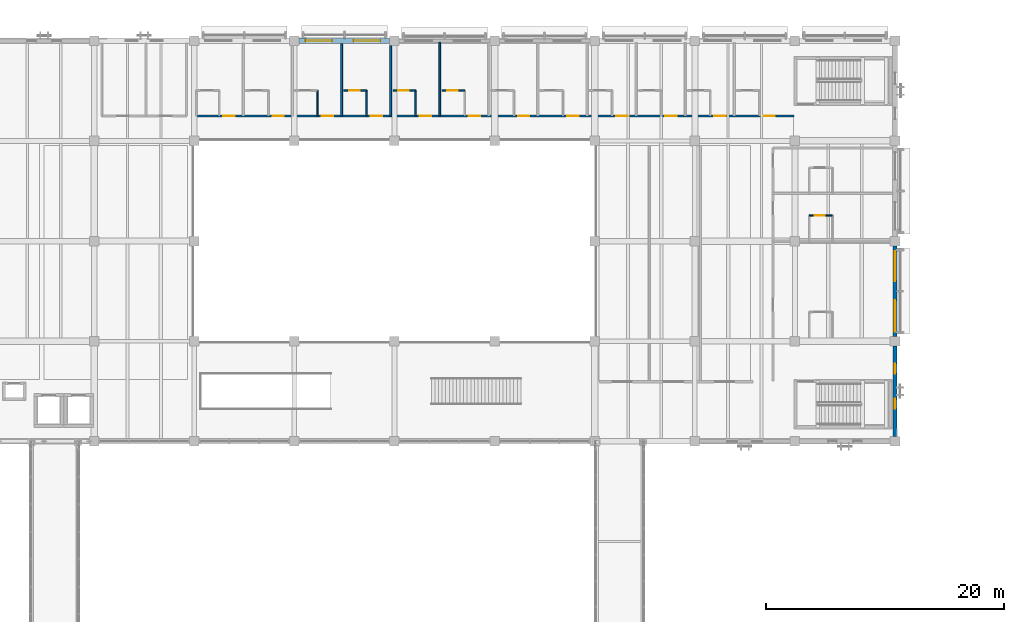
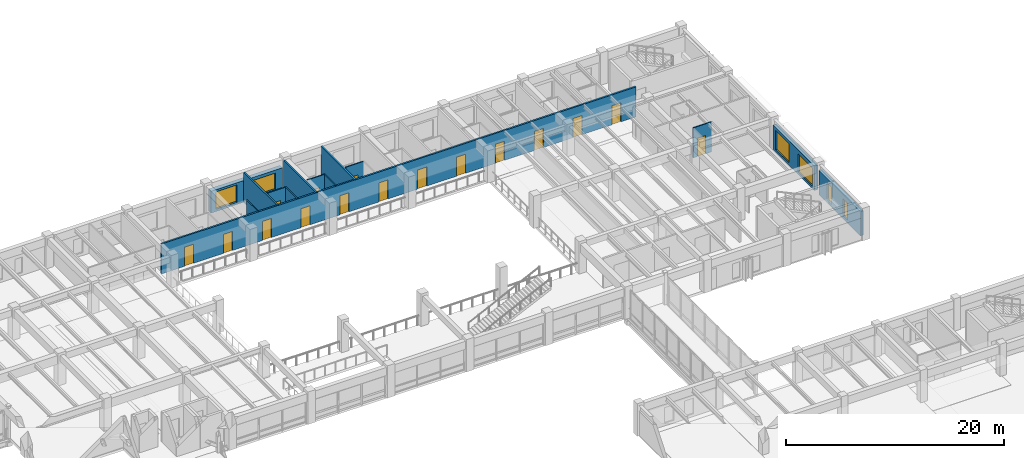
# One storey, part 81 of 118: 16 doors, 14 walls, 6 windows, 22 openings.
"""IFC4 building model written with IfcOpenShell, lengths in metres."""

from ifc_helpers import new_model, si_unit, direction, frame, frame_2d, origin, place, context, subcontext, project, spatial, rectangle, extrude, material, layer, layer_set, type_object, element, fill, save


model = new_model("IFC4")

# Units and contexts
model_context = context("Model", 3, precision=1e-05, world=origin(), true_north=direction((0.0, 1.0)))
body_context = subcontext(model_context, "Body", "Model", "MODEL_VIEW")
ifc_project = project(units=[si_unit("LENGTHUNIT", "METRE"), si_unit("AREAUNIT", "SQUARE_METRE"), si_unit("VOLUMEUNIT", "CUBIC_METRE"), si_unit("PLANEANGLEUNIT", "RADIAN"), si_unit("MASSUNIT", "GRAM", prefix="KILO")], contexts=[model_context])

# Site, building, storey
site_placement = place(None, origin())
site = spatial("IfcSite", under=ifc_project, at=site_placement, CompositionType="ELEMENT")
building_placement = place(site_placement, origin())
building = spatial("IfcBuilding", under=site, at=building_placement, Name="Cumbredor Promenade Congress Hotel", CompositionType="ELEMENT")
storey_placement = place(building_placement, frame((0.0, 0.0, 3.919921875)))
storey = spatial("IfcBuildingStorey", under=building, at=storey_placement, Name="L01", CompositionType="ELEMENT", Elevation=3.919921875)

# Wall
ifc_material_1 = material(Name="Moisture-resistant gypsum board on steel studs", Category="steel")
ifc_layer_1 = layer(ifc_material_1, 0.114990234375, Name="Moisture-resistant gypsum board on steel studs", Category="steel")
ifc_layer_set_1 = layer_set([ifc_layer_1], Name="Moisture-resistant gypsum board on steel studs")
wall_type_1 = type_object("IfcWallType", Name="WL-BATH-115", PredefinedType="PARTITIONING", material=ifc_layer_set_1)
wall_1_placement = place(storey_placement, frame((127.93994140625, 111.300048828125, 0.0), z_axis=(0.0, 0.0, 1.0), x_axis=(0.0, 1.0, 0.0)))
element("IfcWall", 1, at=wall_1_placement, inside=storey, type_object=wall_type_1, Name="L01 Interior Partition W-L01-FBV-F0103", PredefinedType="PARTITIONING", context=body_context, shape_type="SweptSolid", body=[
    extrude(rectangle(XDim=2.14990234375, YDim=0.114990234375, at=frame_2d((1.074951171875, 0.0))), origin(), (0.0, 0.0, 1.0), 3.360107421875),
])

# Wall, opening, door
wall_2_placement = place(storey_placement, frame((130.159912109375, 113.449951171875, 0.0), z_axis=(0.0, 0.0, 1.0), x_axis=(1.0, 0.0, 0.0)))
wall_2 = element("IfcWall", 2, at=wall_2_placement, inside=storey, type_object=wall_type_1, Name="L01 Interior Partition W-L01-FBH-F0104", PredefinedType="PARTITIONING", context=body_context, shape_type="SweptSolid", body=[
    extrude(rectangle(XDim=1.900146484375, YDim=0.114990234375, at=frame_2d((0.9501953125, 0.0))), origin(), (0.0, 0.0, 1.0), 3.360107421875),
])
opening_1_placement = place(wall_2_placement, frame((0.449951171875, 0.0, 0.0)))
opening_1 = element("IfcOpeningElement", 3, at=opening_1_placement, cuts=wall_2, Name="Opening ID-01", PredefinedType="OPENING", context=body_context, shape_type="SweptSolid", body=[
    extrude(rectangle(XDim=0.860107421875, YDim=2.050048828125, at=frame_2d((0.43017578125, 1.02490234375))), frame((0.0, 0.0673828125, 0.0), z_axis=(0.0, -1.0, 0.0), x_axis=(1.0, 0.0, 0.0)), (0.0, 0.0, 1.0), 0.135009765625),
])
ifc_material_2 = material(Name="Kiln-dried tropical hardwood", Category="wood")
door_type_1 = type_object("IfcDoorType", Name="DR-BATH-860", OperationType="NOTDEFINED", PredefinedType="DOOR", material=ifc_material_2)
door_1_placement = place(opening_1_placement, origin())
door_1 = element("IfcDoor", 4, at=door_1_placement, inside=storey, type_object=door_type_1, Name="L01 Interior Door W-L01-FBH-F0104-01", OperationType="SINGLE_SWING_RIGHT", OverallHeight=2.050048828125, OverallWidth=0.860107421875, PredefinedType="DOOR", context=body_context, shape_type="SweptSolid", body=[
    extrude(rectangle(XDim=0.860107421875, YDim=2.050048828125, at=frame_2d((0.43017578125, 1.02490234375))), frame((0.0, 0.02490234375, 0.0), z_axis=(0.0, -1.0, 0.0), x_axis=(1.0, 0.0, 0.0)), (0.0, 0.0, 1.0), 0.050048828125),
])
fill(opening_1, door_1)

# Wall
wall_3_placement = place(storey_placement, frame((132.06005859375, 111.300048828125, 0.0), z_axis=(0.0, 0.0, 1.0), x_axis=(0.0, 1.0, 0.0)))
element("IfcWall", 5, at=wall_3_placement, inside=storey, type_object=wall_type_1, Name="L01 Interior Partition W-L01-FBV-F0104", PredefinedType="PARTITIONING", context=body_context, shape_type="SweptSolid", body=[
    extrude(rectangle(XDim=2.14990234375, YDim=0.114990234375, at=frame_2d((1.074951171875, 0.0))), origin(), (0.0, 0.0, 1.0), 3.360107421875),
])

# Wall, opening, door
wall_4_placement = place(storey_placement, frame((134.280029296875, 113.449951171875, 0.0), z_axis=(0.0, 0.0, 1.0), x_axis=(1.0, 0.0, 0.0)))
wall_4 = element("IfcWall", 6, at=wall_4_placement, inside=storey, type_object=wall_type_1, Name="L01 Interior Partition W-L01-FBH-F0105", PredefinedType="PARTITIONING", context=body_context, shape_type="SweptSolid", body=[
    extrude(rectangle(XDim=1.89990234375, YDim=0.114990234375, at=frame_2d((0.949951171875, 0.0))), origin(), (0.0, 0.0, 1.0), 3.360107421875),
])
opening_2_placement = place(wall_4_placement, frame((0.449951171875, 0.0, 0.0)))
opening_2 = element("IfcOpeningElement", 7, at=opening_2_placement, cuts=wall_4, Name="Opening ID-01", PredefinedType="OPENING", context=body_context, shape_type="SweptSolid", body=[
    extrude(rectangle(XDim=0.860107421875, YDim=2.050048828125, at=frame_2d((0.43017578125, 1.02490234375))), frame((0.0, 0.0673828125, 0.0), z_axis=(0.0, -1.0, 0.0), x_axis=(1.0, 0.0, 0.0)), (0.0, 0.0, 1.0), 0.135009765625),
])
door_2_placement = place(opening_2_placement, origin())
door_2 = element("IfcDoor", 8, at=door_2_placement, inside=storey, type_object=door_type_1, Name="L01 Interior Door W-L01-FBH-F0105-01", OperationType="SINGLE_SWING_LEFT", OverallHeight=2.050048828125, OverallWidth=0.860107421875, PredefinedType="DOOR", context=body_context, shape_type="SweptSolid", body=[
    extrude(rectangle(XDim=0.860107421875, YDim=2.050048828125, at=frame_2d((0.43017578125, 1.02490234375))), frame((0.0, 0.02490234375, 0.0), z_axis=(0.0, -1.0, 0.0), x_axis=(1.0, 0.0, 0.0)), (0.0, 0.0, 1.0), 0.050048828125),
])
fill(opening_2, door_2)

# Wall
wall_5_placement = place(storey_placement, frame((136.179931640625, 111.300048828125, 0.0), z_axis=(0.0, 0.0, 1.0), x_axis=(0.0, 1.0, 0.0)))
element("IfcWall", 9, at=wall_5_placement, inside=storey, type_object=wall_type_1, Name="L01 Interior Partition W-L01-FBV-F0105", PredefinedType="PARTITIONING", context=body_context, shape_type="SweptSolid", body=[
    extrude(rectangle(XDim=2.14990234375, YDim=0.114990234375, at=frame_2d((1.074951171875, 0.0))), origin(), (0.0, 0.0, 1.0), 3.360107421875),
])

# Wall, opening, door
wall_6_placement = place(storey_placement, frame((138.39990234375, 113.449951171875, 0.0), z_axis=(0.0, 0.0, 1.0), x_axis=(1.0, 0.0, 0.0)))
wall_6 = element("IfcWall", 10, at=wall_6_placement, inside=storey, type_object=wall_type_1, Name="L01 Interior Partition W-L01-FBH-F0106", PredefinedType="PARTITIONING", context=body_context, shape_type="SweptSolid", body=[
    extrude(rectangle(XDim=1.900146484375, YDim=0.114990234375, at=frame_2d((0.9501953125, 0.0))), origin(), (0.0, 0.0, 1.0), 3.360107421875),
])
opening_3_placement = place(wall_6_placement, frame((0.449951171875, 0.0, 0.0)))
opening_3 = element("IfcOpeningElement", 11, at=opening_3_placement, cuts=wall_6, Name="Opening ID-01", PredefinedType="OPENING", context=body_context, shape_type="SweptSolid", body=[
    extrude(rectangle(XDim=0.860107421875, YDim=2.050048828125, at=frame_2d((0.43017578125, 1.02490234375))), frame((0.0, 0.0673828125, 0.0), z_axis=(0.0, -1.0, 0.0), x_axis=(1.0, 0.0, 0.0)), (0.0, 0.0, 1.0), 0.135009765625),
])
door_3_placement = place(opening_3_placement, origin())
door_3 = element("IfcDoor", 12, at=door_3_placement, inside=storey, type_object=door_type_1, Name="L01 Interior Door W-L01-FBH-F0106-01", OperationType="SINGLE_SWING_RIGHT", OverallHeight=2.050048828125, OverallWidth=0.860107421875, PredefinedType="DOOR", context=body_context, shape_type="SweptSolid", body=[
    extrude(rectangle(XDim=0.860107421875, YDim=2.050048828125, at=frame_2d((0.43017578125, 1.02490234375))), frame((0.0, 0.02490234375, 0.0), z_axis=(0.0, -1.0, 0.0), x_axis=(1.0, 0.0, 0.0)), (0.0, 0.0, 1.0), 0.050048828125),
])
fill(opening_3, door_3)

wall_7_placement = place(storey_placement, frame((169.199951171875, 102.949951171875, 0.0), z_axis=(0.0, 0.0, 1.0), x_axis=(1.0, 0.0, 0.0)))
wall_7 = element("IfcWall", 13, at=wall_7_placement, inside=storey, type_object=wall_type_1, Name="L01 Interior Partition W-L01-FEBH-E0102", PredefinedType="PARTITIONING", context=body_context, shape_type="SweptSolid", body=[
    extrude(rectangle(XDim=1.949951171875, YDim=0.114990234375, at=frame_2d((0.97509765625, 0.0))), origin(), (0.0, 0.0, 1.0), 3.360107421875),
])
opening_4_placement = place(wall_7_placement, frame((0.449951171875, 0.0, 0.0)))
opening_4 = element("IfcOpeningElement", 14, at=opening_4_placement, cuts=wall_7, Name="Opening ID-01", PredefinedType="OPENING", context=body_context, shape_type="SweptSolid", body=[
    extrude(rectangle(XDim=0.860107421875, YDim=2.050048828125, at=frame_2d((0.43017578125, 1.02490234375))), frame((0.0, 0.0673828125, 0.0), z_axis=(0.0, -1.0, 0.0), x_axis=(1.0, 0.0, 0.0)), (0.0, 0.0, 1.0), 0.135009765625),
])
door_4_placement = place(opening_4_placement, origin())
door_4 = element("IfcDoor", 15, at=door_4_placement, inside=storey, type_object=door_type_1, Name="L01 Interior Door W-L01-FEBH-E0102-01", OperationType="SINGLE_SWING_RIGHT", OverallHeight=2.050048828125, OverallWidth=0.860107421875, PredefinedType="DOOR", context=body_context, shape_type="SweptSolid", body=[
    extrude(rectangle(XDim=0.860107421875, YDim=2.050048828125, at=frame_2d((0.43017578125, 1.02490234375))), frame((0.0, 0.02490234375, 0.0), z_axis=(0.0, -1.0, 0.0), x_axis=(1.0, 0.0, 0.0)), (0.0, 0.0, 1.0), 0.050048828125),
])
fill(opening_4, door_4)

# Wall, openings, doors
ifc_material_3 = material(Name="Fire-rated hotel corridor wall")
ifc_layer_2 = layer(ifc_material_3, 0.179931640625, Name="Fire-rated hotel corridor wall")
ifc_layer_set_2 = layer_set([ifc_layer_2], Name="Fire-rated hotel corridor wall")
wall_type_2 = type_object("IfcWallType", Name="WL-CORR-180", PredefinedType="PARTITIONING", material=ifc_layer_set_2)
wall_8_placement = place(storey_placement, frame((117.60009765625, 111.300048828125, 0.0), z_axis=(0.0, 0.0, 1.0), x_axis=(1.0, 0.0, 0.0)))
wall_8 = element("IfcWall", 16, at=wall_8_placement, inside=storey, type_object=wall_type_2, Name="L01 Interior Partition W-L01-FCORRW", PredefinedType="PARTITIONING", context=body_context, shape_type="SweptSolid", body=[
    extrude(rectangle(XDim=50.31982421875, YDim=0.179931640625, at=frame_2d((25.159912109375, 0.0))), origin(), (0.0, 0.0, 1.0), 3.360107421875),
])
opening_5_placement = place(wall_8_placement, frame((2.449951171875, 0.0, 0.0)))
opening_5 = element("IfcOpeningElement", 17, at=opening_5_placement, cuts=wall_8, Name="Opening FD-01", PredefinedType="OPENING", context=body_context, shape_type="SweptSolid", body=[
    extrude(rectangle(XDim=0.9599609375, YDim=2.14990234375, at=frame_2d((0.47998046875, 1.074951171875))), frame((0.0, 0.10009765625, 0.0), z_axis=(0.0, -1.0, 0.0), x_axis=(1.0, 0.0, 0.0)), (0.0, 0.0, 1.0), 0.199951171875),
])
opening_6_placement = place(wall_8_placement, frame((6.570068359375, 0.0, 0.0)))
opening_6 = element("IfcOpeningElement", 18, at=opening_6_placement, cuts=wall_8, Name="Opening FD-01", PredefinedType="OPENING", context=body_context, shape_type="SweptSolid", body=[
    extrude(rectangle(XDim=0.9599609375, YDim=2.14990234375, at=frame_2d((0.47998046875, 1.074951171875))), frame((0.0, 0.10009765625, 0.0), z_axis=(0.0, -1.0, 0.0), x_axis=(1.0, 0.0, 0.0)), (0.0, 0.0, 1.0), 0.199951171875),
])
opening_7_placement = place(wall_8_placement, frame((10.68994140625, 0.0, 0.0)))
opening_7 = element("IfcOpeningElement", 19, at=opening_7_placement, cuts=wall_8, Name="Opening FD-01", PredefinedType="OPENING", context=body_context, shape_type="SweptSolid", body=[
    extrude(rectangle(XDim=0.9599609375, YDim=2.14990234375, at=frame_2d((0.47998046875, 1.074951171875))), frame((0.0, 0.10009765625, 0.0), z_axis=(0.0, -1.0, 0.0), x_axis=(1.0, 0.0, 0.0)), (0.0, 0.0, 1.0), 0.199951171875),
])
opening_8_placement = place(wall_8_placement, frame((14.81005859375, 0.0, 0.0)))
opening_8 = element("IfcOpeningElement", 20, at=opening_8_placement, cuts=wall_8, Name="Opening FD-01", PredefinedType="OPENING", context=body_context, shape_type="SweptSolid", body=[
    extrude(rectangle(XDim=0.9599609375, YDim=2.14990234375, at=frame_2d((0.47998046875, 1.074951171875))), frame((0.0, 0.10009765625, 0.0), z_axis=(0.0, -1.0, 0.0), x_axis=(1.0, 0.0, 0.0)), (0.0, 0.0, 1.0), 0.199951171875),
])
opening_9_placement = place(wall_8_placement, frame((18.929931640625, 0.0, 0.0)))
opening_9 = element("IfcOpeningElement", 21, at=opening_9_placement, cuts=wall_8, Name="Opening FD-01", PredefinedType="OPENING", context=body_context, shape_type="SweptSolid", body=[
    extrude(rectangle(XDim=0.9599609375, YDim=2.14990234375, at=frame_2d((0.47998046875, 1.074951171875))), frame((0.0, 0.10009765625, 0.0), z_axis=(0.0, -1.0, 0.0), x_axis=(1.0, 0.0, 0.0)), (0.0, 0.0, 1.0), 0.199951171875),
])
opening_10_placement = place(wall_8_placement, frame((23.050048828125, 0.0, 0.0)))
opening_10 = element("IfcOpeningElement", 22, at=opening_10_placement, cuts=wall_8, Name="Opening FD-01", PredefinedType="OPENING", context=body_context, shape_type="SweptSolid", body=[
    extrude(rectangle(XDim=0.9599609375, YDim=2.14990234375, at=frame_2d((0.47998046875, 1.074951171875))), frame((0.0, 0.10009765625, 0.0), z_axis=(0.0, -1.0, 0.0), x_axis=(1.0, 0.0, 0.0)), (0.0, 0.0, 1.0), 0.199951171875),
])
opening_11_placement = place(wall_8_placement, frame((27.169921875, 0.0, 0.0)))
opening_11 = element("IfcOpeningElement", 23, at=opening_11_placement, cuts=wall_8, Name="Opening FD-01", PredefinedType="OPENING", context=body_context, shape_type="SweptSolid", body=[
    extrude(rectangle(XDim=0.9599609375, YDim=2.14990234375, at=frame_2d((0.47998046875, 1.074951171875))), frame((0.0, 0.10009765625, 0.0), z_axis=(0.0, -1.0, 0.0), x_axis=(1.0, 0.0, 0.0)), (0.0, 0.0, 1.0), 0.199951171875),
])
opening_12_placement = place(wall_8_placement, frame((31.2900390625, 0.0, 0.0)))
opening_12 = element("IfcOpeningElement", 24, at=opening_12_placement, cuts=wall_8, Name="Opening FD-01", PredefinedType="OPENING", context=body_context, shape_type="SweptSolid", body=[
    extrude(rectangle(XDim=0.9599609375, YDim=2.14990234375, at=frame_2d((0.47998046875, 1.074951171875))), frame((0.0, 0.10009765625, 0.0), z_axis=(0.0, -1.0, 0.0), x_axis=(1.0, 0.0, 0.0)), (0.0, 0.0, 1.0), 0.199951171875),
])
opening_13_placement = place(wall_8_placement, frame((35.409912109375, 0.0, 0.0)))
opening_13 = element("IfcOpeningElement", 25, at=opening_13_placement, cuts=wall_8, Name="Opening FD-01", PredefinedType="OPENING", context=body_context, shape_type="SweptSolid", body=[
    extrude(rectangle(XDim=0.9599609375, YDim=2.14990234375, at=frame_2d((0.47998046875, 1.074951171875))), frame((0.0, 0.10009765625, 0.0), z_axis=(0.0, -1.0, 0.0), x_axis=(1.0, 0.0, 0.0)), (0.0, 0.0, 1.0), 0.199951171875),
])
opening_14_placement = place(wall_8_placement, frame((39.530029296875, 0.0, 0.0)))
opening_14 = element("IfcOpeningElement", 26, at=opening_14_placement, cuts=wall_8, Name="Opening FD-01", PredefinedType="OPENING", context=body_context, shape_type="SweptSolid", body=[
    extrude(rectangle(XDim=0.9599609375, YDim=2.14990234375, at=frame_2d((0.47998046875, 1.074951171875))), frame((0.0, 0.10009765625, 0.0), z_axis=(0.0, -1.0, 0.0), x_axis=(1.0, 0.0, 0.0)), (0.0, 0.0, 1.0), 0.199951171875),
])
opening_15_placement = place(wall_8_placement, frame((43.64990234375, 0.0, 0.0)))
opening_15 = element("IfcOpeningElement", 27, at=opening_15_placement, cuts=wall_8, Name="Opening FD-01", PredefinedType="OPENING", context=body_context, shape_type="SweptSolid", body=[
    extrude(rectangle(XDim=0.9599609375, YDim=2.14990234375, at=frame_2d((0.47998046875, 1.074951171875))), frame((0.0, 0.10009765625, 0.0), z_axis=(0.0, -1.0, 0.0), x_axis=(1.0, 0.0, 0.0)), (0.0, 0.0, 1.0), 0.199951171875),
])
opening_16_placement = place(wall_8_placement, frame((47.77001953125, 0.0, 0.0)))
opening_16 = element("IfcOpeningElement", 28, at=opening_16_placement, cuts=wall_8, Name="Opening FD-01", PredefinedType="OPENING", context=body_context, shape_type="SweptSolid", body=[
    extrude(rectangle(XDim=0.9599609375, YDim=2.14990234375, at=frame_2d((0.47998046875, 1.074951171875))), frame((0.0, 0.10009765625, 0.0), z_axis=(0.0, -1.0, 0.0), x_axis=(1.0, 0.0, 0.0)), (0.0, 0.0, 1.0), 0.199951171875),
])
ifc_material_4 = material(Name="Solid-core fire-rated tropical hardwood", Category="wood")
door_type_2 = type_object("IfcDoorType", Name="DR-GUEST-FD30-950", OperationType="NOTDEFINED", PredefinedType="DOOR", material=ifc_material_4)
door_5_placement = place(opening_5_placement, origin())
door_5 = element("IfcDoor", 29, at=door_5_placement, inside=storey, type_object=door_type_2, Name="L01 Interior Door W-L01-FCORRW-01", OperationType="SINGLE_SWING_RIGHT", OverallHeight=2.14990234375, OverallWidth=0.9599609375, PredefinedType="DOOR", context=body_context, shape_type="SweptSolid", body=[
    extrude(rectangle(XDim=0.9599609375, YDim=2.14990234375, at=frame_2d((0.47998046875, 1.074951171875))), frame((0.0, 0.02490234375, 0.0), z_axis=(0.0, -1.0, 0.0), x_axis=(1.0, 0.0, 0.0)), (0.0, 0.0, 1.0), 0.050048828125),
])
fill(opening_5, door_5)
door_6_placement = place(opening_6_placement, origin())
door_6 = element("IfcDoor", 30, at=door_6_placement, inside=storey, type_object=door_type_2, Name="L01 Interior Door W-L01-FCORRW-02", OperationType="SINGLE_SWING_LEFT", OverallHeight=2.14990234375, OverallWidth=0.9599609375, PredefinedType="DOOR", context=body_context, shape_type="SweptSolid", body=[
    extrude(rectangle(XDim=0.9599609375, YDim=2.14990234375, at=frame_2d((0.47998046875, 1.074951171875))), frame((0.0, 0.02490234375, 0.0), z_axis=(0.0, -1.0, 0.0), x_axis=(1.0, 0.0, 0.0)), (0.0, 0.0, 1.0), 0.050048828125),
])
fill(opening_6, door_6)
door_7_placement = place(opening_7_placement, origin())
door_7 = element("IfcDoor", 31, at=door_7_placement, inside=storey, type_object=door_type_2, Name="L01 Interior Door W-L01-FCORRW-03", OperationType="SINGLE_SWING_RIGHT", OverallHeight=2.14990234375, OverallWidth=0.9599609375, PredefinedType="DOOR", context=body_context, shape_type="SweptSolid", body=[
    extrude(rectangle(XDim=0.9599609375, YDim=2.14990234375, at=frame_2d((0.47998046875, 1.074951171875))), frame((0.0, 0.02490234375, 0.0), z_axis=(0.0, -1.0, 0.0), x_axis=(1.0, 0.0, 0.0)), (0.0, 0.0, 1.0), 0.050048828125),
])
fill(opening_7, door_7)
door_8_placement = place(opening_8_placement, origin())
door_8 = element("IfcDoor", 32, at=door_8_placement, inside=storey, type_object=door_type_2, Name="L01 Interior Door W-L01-FCORRW-04", OperationType="SINGLE_SWING_LEFT", OverallHeight=2.14990234375, OverallWidth=0.9599609375, PredefinedType="DOOR", context=body_context, shape_type="SweptSolid", body=[
    extrude(rectangle(XDim=0.9599609375, YDim=2.14990234375, at=frame_2d((0.47998046875, 1.074951171875))), frame((0.0, 0.02490234375, 0.0), z_axis=(0.0, -1.0, 0.0), x_axis=(1.0, 0.0, 0.0)), (0.0, 0.0, 1.0), 0.050048828125),
])
fill(opening_8, door_8)
door_9_placement = place(opening_9_placement, origin())
door_9 = element("IfcDoor", 33, at=door_9_placement, inside=storey, type_object=door_type_2, Name="L01 Interior Door W-L01-FCORRW-05", OperationType="SINGLE_SWING_RIGHT", OverallHeight=2.14990234375, OverallWidth=0.9599609375, PredefinedType="DOOR", context=body_context, shape_type="SweptSolid", body=[
    extrude(rectangle(XDim=0.9599609375, YDim=2.14990234375, at=frame_2d((0.47998046875, 1.074951171875))), frame((0.0, 0.02490234375, 0.0), z_axis=(0.0, -1.0, 0.0), x_axis=(1.0, 0.0, 0.0)), (0.0, 0.0, 1.0), 0.050048828125),
])
fill(opening_9, door_9)
door_10_placement = place(opening_10_placement, origin())
door_10 = element("IfcDoor", 34, at=door_10_placement, inside=storey, type_object=door_type_2, Name="L01 Interior Door W-L01-FCORRW-06", OperationType="SINGLE_SWING_LEFT", OverallHeight=2.14990234375, OverallWidth=0.9599609375, PredefinedType="DOOR", context=body_context, shape_type="SweptSolid", body=[
    extrude(rectangle(XDim=0.9599609375, YDim=2.14990234375, at=frame_2d((0.47998046875, 1.074951171875))), frame((0.0, 0.02490234375, 0.0), z_axis=(0.0, -1.0, 0.0), x_axis=(1.0, 0.0, 0.0)), (0.0, 0.0, 1.0), 0.050048828125),
])
fill(opening_10, door_10)
door_11_placement = place(opening_11_placement, origin())
door_11 = element("IfcDoor", 35, at=door_11_placement, inside=storey, type_object=door_type_2, Name="L01 Interior Door W-L01-FCORRW-07", OperationType="SINGLE_SWING_RIGHT", OverallHeight=2.14990234375, OverallWidth=0.9599609375, PredefinedType="DOOR", context=body_context, shape_type="SweptSolid", body=[
    extrude(rectangle(XDim=0.9599609375, YDim=2.14990234375, at=frame_2d((0.47998046875, 1.074951171875))), frame((0.0, 0.02490234375, 0.0), z_axis=(0.0, -1.0, 0.0), x_axis=(1.0, 0.0, 0.0)), (0.0, 0.0, 1.0), 0.050048828125),
])
fill(opening_11, door_11)
door_12_placement = place(opening_12_placement, origin())
door_12 = element("IfcDoor", 36, at=door_12_placement, inside=storey, type_object=door_type_2, Name="L01 Interior Door W-L01-FCORRW-08", OperationType="SINGLE_SWING_LEFT", OverallHeight=2.14990234375, OverallWidth=0.9599609375, PredefinedType="DOOR", context=body_context, shape_type="SweptSolid", body=[
    extrude(rectangle(XDim=0.9599609375, YDim=2.14990234375, at=frame_2d((0.47998046875, 1.074951171875))), frame((0.0, 0.02490234375, 0.0), z_axis=(0.0, -1.0, 0.0), x_axis=(1.0, 0.0, 0.0)), (0.0, 0.0, 1.0), 0.050048828125),
])
fill(opening_12, door_12)
door_13_placement = place(opening_13_placement, origin())
door_13 = element("IfcDoor", 37, at=door_13_placement, inside=storey, type_object=door_type_2, Name="L01 Interior Door W-L01-FCORRW-09", OperationType="SINGLE_SWING_RIGHT", OverallHeight=2.14990234375, OverallWidth=0.9599609375, PredefinedType="DOOR", context=body_context, shape_type="SweptSolid", body=[
    extrude(rectangle(XDim=0.9599609375, YDim=2.14990234375, at=frame_2d((0.47998046875, 1.074951171875))), frame((0.0, 0.02490234375, 0.0), z_axis=(0.0, -1.0, 0.0), x_axis=(1.0, 0.0, 0.0)), (0.0, 0.0, 1.0), 0.050048828125),
])
fill(opening_13, door_13)
door_14_placement = place(opening_14_placement, origin())
door_14 = element("IfcDoor", 38, at=door_14_placement, inside=storey, type_object=door_type_2, Name="L01 Interior Door W-L01-FCORRW-10", OperationType="SINGLE_SWING_LEFT", OverallHeight=2.14990234375, OverallWidth=0.9599609375, PredefinedType="DOOR", context=body_context, shape_type="SweptSolid", body=[
    extrude(rectangle(XDim=0.9599609375, YDim=2.14990234375, at=frame_2d((0.47998046875, 1.074951171875))), frame((0.0, 0.02490234375, 0.0), z_axis=(0.0, -1.0, 0.0), x_axis=(1.0, 0.0, 0.0)), (0.0, 0.0, 1.0), 0.050048828125),
])
fill(opening_14, door_14)
door_15_placement = place(opening_15_placement, origin())
door_15 = element("IfcDoor", 39, at=door_15_placement, inside=storey, type_object=door_type_2, Name="L01 Interior Door W-L01-FCORRW-11", OperationType="SINGLE_SWING_RIGHT", OverallHeight=2.14990234375, OverallWidth=0.9599609375, PredefinedType="DOOR", context=body_context, shape_type="SweptSolid", body=[
    extrude(rectangle(XDim=0.9599609375, YDim=2.14990234375, at=frame_2d((0.47998046875, 1.074951171875))), frame((0.0, 0.02490234375, 0.0), z_axis=(0.0, -1.0, 0.0), x_axis=(1.0, 0.0, 0.0)), (0.0, 0.0, 1.0), 0.050048828125),
])
fill(opening_15, door_15)
door_16_placement = place(opening_16_placement, origin())
door_16 = element("IfcDoor", 40, at=door_16_placement, inside=storey, type_object=door_type_2, Name="L01 Interior Door W-L01-FCORRW-12", OperationType="SINGLE_SWING_LEFT", OverallHeight=2.14990234375, OverallWidth=0.9599609375, PredefinedType="DOOR", context=body_context, shape_type="SweptSolid", body=[
    extrude(rectangle(XDim=0.9599609375, YDim=2.14990234375, at=frame_2d((0.47998046875, 1.074951171875))), frame((0.0, 0.02490234375, 0.0), z_axis=(0.0, -1.0, 0.0), x_axis=(1.0, 0.0, 0.0)), (0.0, 0.0, 1.0), 0.050048828125),
])
fill(opening_16, door_16)

# Wall, openings, windows
ifc_material_5 = material(Name="Concrete C40/50", Category="concrete")
ifc_layer_3 = layer(ifc_material_5, 0.324951171875, Name="Concrete C40/50", Category="concrete")
ifc_layer_set_3 = layer_set([ifc_layer_3], Name="Concrete C40/50")
wall_type_3 = type_object("IfcWallType", Name="WL-EXT-325", PredefinedType="SOLIDWALL", material=ifc_layer_set_3)
wall_9_placement = place(storey_placement, frame((176.39990234375, 84.40087890625, 0.0), z_axis=(0.0, 0.0, 1.0), x_axis=(0.0, 1.0, 0.0)))
wall_9 = element("IfcWall", 41, at=wall_9_placement, inside=storey, type_object=wall_type_3, Name="L01 Pre-Function and Breakout Meeting Forum East Envelope Wall 1", PredefinedType="SOLIDWALL", context=body_context, shape_type="SweptSolid", body=[
    extrude(rectangle(XDim=7.59814453125, YDim=0.324951171875, at=frame_2d((3.799072265625, 0.0))), origin(), (0.0, 0.0, 1.0), 2.734130859375),
])
opening_17_placement = place(wall_9_placement, frame((2.3291015625, 0.0, 0.300048828125)))
opening_17 = element("IfcOpeningElement", 42, at=opening_17_placement, cuts=wall_9, Name="Opening WN-51", PredefinedType="OPENING", context=body_context, shape_type="SweptSolid", body=[
    extrude(rectangle(XDim=0.840087890625, YDim=1.949951171875, at=frame_2d((0.419921875, 0.97509765625))), frame((0.0, 0.17236328125, 0.0), z_axis=(0.0, -1.0, 0.0), x_axis=(1.0, 0.0, 0.0)), (0.0, 0.0, 1.0), 0.344970703125),
])
opening_18_placement = place(wall_9_placement, frame((5.279052734375, 0.0, 0.300048828125)))
opening_18 = element("IfcOpeningElement", 43, at=opening_18_placement, cuts=wall_9, Name="Opening WN-51", PredefinedType="OPENING", context=body_context, shape_type="SweptSolid", body=[
    extrude(rectangle(XDim=0.840087890625, YDim=1.949951171875, at=frame_2d((0.419921875, 0.97509765625))), frame((0.0, 0.17236328125, 0.0), z_axis=(0.0, -1.0, 0.0), x_axis=(1.0, 0.0, 0.0)), (0.0, 0.0, 1.0), 0.344970703125),
])
ifc_material_6 = material(Name="Thermally broken anodized aluminium and low-E glass", Category="aluminium")
window_type_1 = type_object("IfcWindowType", Name="Vertical Slot Window WN-51 840x1950", PartitioningType="SINGLE_PANEL", PredefinedType="WINDOW", material=ifc_material_6)
window_1_placement = place(opening_17_placement, origin())
window_1 = element("IfcWindow", 44, at=window_1_placement, inside=storey, type_object=window_type_1, Name="L01 Vertical Slot Window 0181", OverallHeight=1.949951171875, OverallWidth=0.840087890625, PartitioningType="SINGLE_PANEL", PredefinedType="WINDOW", context=body_context, shape_type="SweptSolid", body=[
    extrude(rectangle(XDim=0.840087890625, YDim=1.949951171875, at=frame_2d((0.419921875, 0.97509765625))), frame((0.0, 0.030029296875, 0.0), z_axis=(0.0, -1.0, 0.0), x_axis=(1.0, 0.0, 0.0)), (0.0, 0.0, 1.0), 0.06005859375),
])
fill(opening_17, window_1)
window_2_placement = place(opening_18_placement, origin())
window_2 = element("IfcWindow", 45, at=window_2_placement, inside=storey, type_object=window_type_1, Name="L01 Vertical Slot Window 0182", OverallHeight=1.949951171875, OverallWidth=0.840087890625, PartitioningType="SINGLE_PANEL", PredefinedType="WINDOW", context=body_context, shape_type="SweptSolid", body=[
    extrude(rectangle(XDim=0.840087890625, YDim=1.949951171875, at=frame_2d((0.419921875, 0.97509765625))), frame((0.0, 0.030029296875, 0.0), z_axis=(0.0, -1.0, 0.0), x_axis=(1.0, 0.0, 0.0)), (0.0, 0.0, 1.0), 0.06005859375),
])
fill(opening_18, window_2)

ifc_layer_4 = layer(ifc_material_5, 0.35009765625, Name="Concrete C40/50", Category="concrete")
ifc_layer_set_4 = layer_set([ifc_layer_4], Name="Concrete C40/50")
wall_type_4 = type_object("IfcWallType", Name="WL-EXT-350", PredefinedType="SOLIDWALL", material=ifc_layer_set_4)
wall_10_placement = place(storey_placement, frame((176.39990234375, 92.801025390625, 0.0), z_axis=(0.0, 0.0, 1.0), x_axis=(0.0, 1.0, 0.0)))
wall_10 = element("IfcWall", 46, at=wall_10_placement, inside=storey, type_object=wall_type_4, Name="L01 Pre-Function and Breakout Meeting Forum East Envelope Wall 2", PredefinedType="SOLIDWALL", context=body_context, shape_type="SweptSolid", body=[
    extrude(rectangle(XDim=7.597900390625, YDim=0.35009765625, at=frame_2d((3.798828125, 0.0))), origin(), (0.0, 0.0, 1.0), 2.734130859375),
])
opening_19_placement = place(wall_10_placement, frame((0.3740234375, 0.0, 0.25)))
opening_19 = element("IfcOpeningElement", 47, at=opening_19_placement, cuts=wall_10, Name="Opening WN-17", PredefinedType="OPENING", context=body_context, shape_type="SweptSolid", body=[
    extrude(rectangle(XDim=2.64990234375, YDim=2.050048828125, at=frame_2d((1.324951171875, 1.02490234375))), frame((0.0, 0.18505859375, 0.0), z_axis=(0.0, -1.0, 0.0), x_axis=(1.0, 0.0, 0.0)), (0.0, 0.0, 1.0), 0.3701171875),
])
opening_20_placement = place(wall_10_placement, frame((4.64892578125, 0.0, 0.25)))
opening_20 = element("IfcOpeningElement", 48, at=opening_20_placement, cuts=wall_10, Name="Opening WN-21", PredefinedType="OPENING", context=body_context, shape_type="SweptSolid", body=[
    extrude(rectangle(XDim=2.5, YDim=2.14990234375, at=frame_2d((1.25, 1.074951171875))), frame((0.0, 0.18505859375, 0.0), z_axis=(0.0, -1.0, 0.0), x_axis=(1.0, 0.0, 0.0)), (0.0, 0.0, 1.0), 0.3701171875),
])
window_type_2 = type_object("IfcWindowType", Name="Hospitality Floor-to-Ceiling Window WN-17 2650x2050", PartitioningType="DOUBLE_PANEL_VERTICAL", PredefinedType="WINDOW", material=ifc_material_6)
window_3_placement = place(opening_19_placement, origin())
window_3 = element("IfcWindow", 49, at=window_3_placement, inside=storey, type_object=window_type_2, Name="L01 Wide Hospitality Window 0183", OverallHeight=2.050048828125, OverallWidth=2.64990234375, PartitioningType="DOUBLE_PANEL_VERTICAL", PredefinedType="WINDOW", context=body_context, shape_type="SweptSolid", body=[
    extrude(rectangle(XDim=2.64990234375, YDim=2.050048828125, at=frame_2d((1.324951171875, 1.02490234375))), frame((0.0, 0.030029296875, 0.0), z_axis=(0.0, -1.0, 0.0), x_axis=(1.0, 0.0, 0.0)), (0.0, 0.0, 1.0), 0.06005859375),
])
fill(opening_19, window_3)
window_type_3 = type_object("IfcWindowType", Name="Hospitality Floor-to-Ceiling Window WN-21 2500x2150", PartitioningType="DOUBLE_PANEL_VERTICAL", PredefinedType="WINDOW", material=ifc_material_6)
window_4_placement = place(opening_20_placement, origin())
window_4 = element("IfcWindow", 50, at=window_4_placement, inside=storey, type_object=window_type_3, Name="L01 Wide Hospitality Window 0184", OverallHeight=2.14990234375, OverallWidth=2.5, PartitioningType="DOUBLE_PANEL_VERTICAL", PredefinedType="WINDOW", context=body_context, shape_type="SweptSolid", body=[
    extrude(rectangle(XDim=2.5, YDim=2.14990234375, at=frame_2d((1.25, 1.074951171875))), frame((0.0, 0.030029296875, 0.0), z_axis=(0.0, -1.0, 0.0), x_axis=(1.0, 0.0, 0.0)), (0.0, 0.0, 1.0), 0.06005859375),
])
fill(opening_20, window_4)

ifc_layer_5 = layer(ifc_material_5, 0.449951171875, Name="Concrete C40/50", Category="concrete")
ifc_layer_set_5 = layer_set([ifc_layer_5], Name="Concrete C40/50")
wall_type_5 = type_object("IfcWallType", Name="WL-EXT-450", PredefinedType="SOLIDWALL", material=ifc_layer_set_5)
wall_11_placement = place(storey_placement, frame((126.40087890625, 117.60009765625, 0.0), z_axis=(0.0, 0.0, 1.0), x_axis=(1.0, 0.0, 0.0)))
wall_11 = element("IfcWall", 51, at=wall_11_placement, inside=storey, type_object=wall_type_5, Name="L01 Pre-Function and Breakout Meeting Forum North Envelope Wall 5", PredefinedType="SOLIDWALL", context=body_context, shape_type="SweptSolid", body=[
    extrude(rectangle(XDim=7.59814453125, YDim=0.449951171875, at=frame_2d((3.799072265625, 0.0))), origin(), (0.0, 0.0, 1.0), 2.445068359375),
])
opening_21_placement = place(wall_11_placement, frame((0.52392578125, 0.0, 0.25)))
opening_21 = element("IfcOpeningElement", 52, at=opening_21_placement, cuts=wall_11, Name="Opening WN-07", PredefinedType="OPENING", context=body_context, shape_type="SweptSolid", body=[
    extrude(rectangle(XDim=2.25, YDim=1.949951171875, at=frame_2d((1.125, 0.97509765625))), frame((0.0, 0.23486328125, 0.0), z_axis=(0.0, -1.0, 0.0), x_axis=(1.0, 0.0, 0.0)), (0.0, 0.0, 1.0), 0.469970703125),
])
opening_22_placement = place(wall_11_placement, frame((4.573974609375, 0.0, 0.25)))
opening_22 = element("IfcOpeningElement", 53, at=opening_22_placement, cuts=wall_11, Name="Opening WN-01", PredefinedType="OPENING", context=body_context, shape_type="SweptSolid", body=[
    extrude(rectangle(XDim=2.25, YDim=1.85009765625, at=frame_2d((1.125, 0.925048828125))), frame((0.0, 0.23486328125, 0.0), z_axis=(0.0, -1.0, 0.0), x_axis=(1.0, 0.0, 0.0)), (0.0, 0.0, 1.0), 0.469970703125),
])
window_type_4 = type_object("IfcWindowType", Name="Hospitality Floor-to-Ceiling Window WN-01 2250x1850", PartitioningType="DOUBLE_PANEL_VERTICAL", PredefinedType="WINDOW", material=ifc_material_6)
window_5_placement = place(opening_22_placement, origin())
window_5 = element("IfcWindow", 54, at=window_5_placement, inside=storey, type_object=window_type_4, Name="L01 Wide Hospitality Window 0166", OverallHeight=1.85009765625, OverallWidth=2.25, PartitioningType="DOUBLE_PANEL_VERTICAL", PredefinedType="WINDOW", context=body_context, shape_type="SweptSolid", body=[
    extrude(rectangle(XDim=2.25, YDim=1.85009765625, at=frame_2d((1.125, 0.925048828125))), frame((0.0, 0.030029296875, 0.0), z_axis=(0.0, -1.0, 0.0), x_axis=(1.0, 0.0, 0.0)), (0.0, 0.0, 1.0), 0.06005859375),
])
fill(opening_22, window_5)
window_type_5 = type_object("IfcWindowType", Name="Hospitality Floor-to-Ceiling Window WN-07 2250x1950", PartitioningType="DOUBLE_PANEL_VERTICAL", PredefinedType="WINDOW", material=ifc_material_6)
window_6_placement = place(opening_21_placement, origin())
window_6 = element("IfcWindow", 55, at=window_6_placement, inside=storey, type_object=window_type_5, Name="L01 Wide Hospitality Window 0165", OverallHeight=1.949951171875, OverallWidth=2.25, PartitioningType="DOUBLE_PANEL_VERTICAL", PredefinedType="WINDOW", context=body_context, shape_type="SweptSolid", body=[
    extrude(rectangle(XDim=2.25, YDim=1.949951171875, at=frame_2d((1.125, 0.97509765625))), frame((0.0, 0.030029296875, 0.0), z_axis=(0.0, -1.0, 0.0), x_axis=(1.0, 0.0, 0.0)), (0.0, 0.0, 1.0), 0.06005859375),
])
fill(opening_21, window_6)

# Walls
ifc_material_7 = material(Name="Fire-rated acoustic double-stud partition")
ifc_layer_6 = layer(ifc_material_7, 0.1650390625, Name="Fire-rated acoustic double-stud partition")
ifc_layer_set_6 = layer_set([ifc_layer_6], Name="Fire-rated acoustic double-stud partition")
wall_type_6 = type_object("IfcWallType", Name="WL-UNIT-165", PredefinedType="PARTITIONING", material=ifc_layer_set_6)
wall_12_placement = place(storey_placement, frame((129.9599609375, 111.300048828125, 0.0), z_axis=(0.0, 0.0, 1.0), x_axis=(0.0, 1.0, 0.0)))
element("IfcWall", 56, at=wall_12_placement, inside=storey, type_object=wall_type_6, Name="L01 Interior Partition W-L01-FDIV-3", PredefinedType="PARTITIONING", context=body_context, shape_type="SweptSolid", body=[
    extrude(rectangle(XDim=6.074951171875, YDim=0.1650390625, at=frame_2d((3.03759765625, 0.0))), origin(), (0.0, 0.0, 1.0), 3.360107421875),
])
wall_13_placement = place(storey_placement, frame((134.080078125, 111.300048828125, 0.0), z_axis=(0.0, 0.0, 1.0), x_axis=(0.0, 1.0, 0.0)))
element("IfcWall", 57, at=wall_13_placement, inside=storey, type_object=wall_type_6, Name="L01 Interior Partition W-L01-FDIV-4", PredefinedType="PARTITIONING", context=body_context, shape_type="SweptSolid", body=[
    extrude(rectangle(XDim=5.919921875, YDim=0.1650390625, at=frame_2d((2.9599609375, 0.0))), origin(), (0.0, 0.0, 1.0), 3.360107421875),
])
wall_14_placement = place(storey_placement, frame((138.199951171875, 111.300048828125, 0.0), z_axis=(0.0, 0.0, 1.0), x_axis=(0.0, 1.0, 0.0)))
element("IfcWall", 58, at=wall_14_placement, inside=storey, type_object=wall_type_6, Name="L01 Interior Partition W-L01-FDIV-5", PredefinedType="PARTITIONING", context=body_context, shape_type="SweptSolid", body=[
    extrude(rectangle(XDim=6.169921875, YDim=0.1650390625, at=frame_2d((3.0849609375, 0.0))), origin(), (0.0, 0.0, 1.0), 3.360107421875),
])

save(model, "model.ifc")
